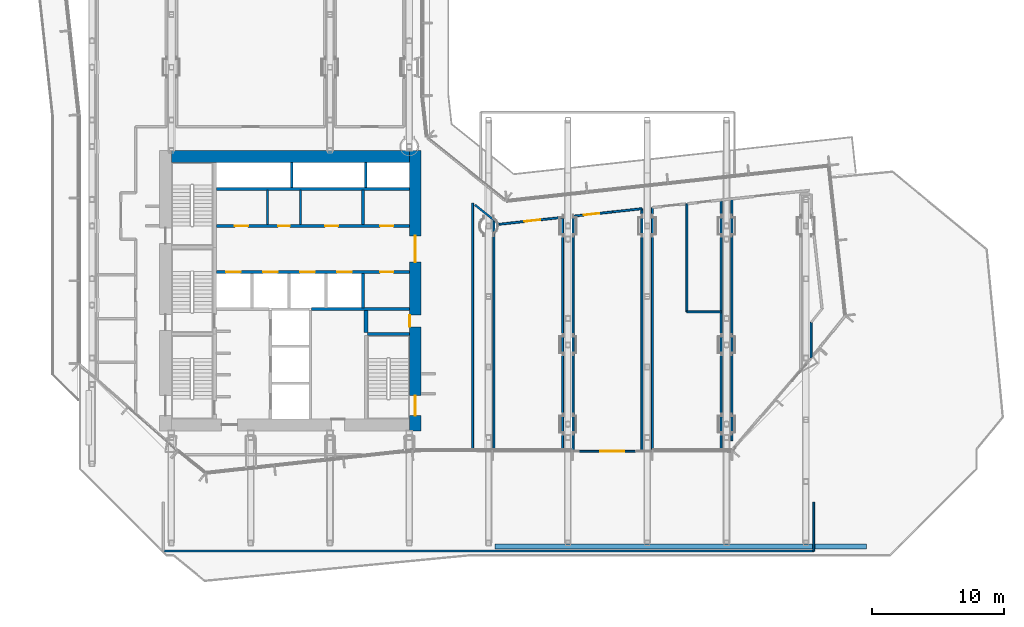
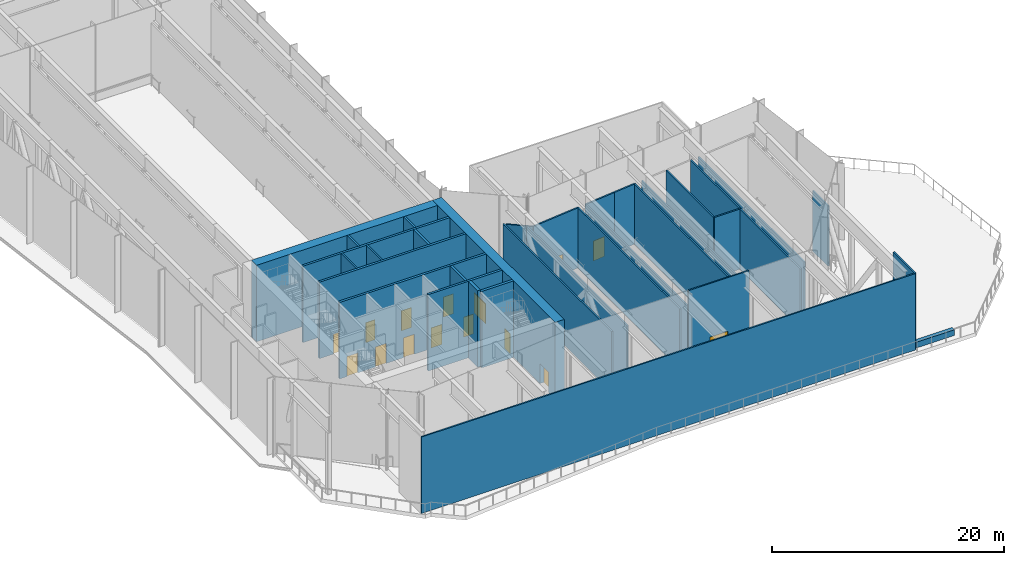
# One storey, part 15 of 25: 33 walls, 15 doors, 15 openings.
"""IFC4 building model written with IfcOpenShell, lengths in metres."""

from ifc_helpers import new_model, si_unit, direction, frame, frame_2d, origin, place, context, subcontext, project, spatial, rectangle, extrude, material, layer, layer_set, type_object, element, fill, save


model = new_model("IFC4")

# Units and contexts
model_context = context("Model", 3, precision=1e-05, world=origin(), true_north=direction((0.0, 1.0)))
body_context = subcontext(model_context, "Body", "Model", "MODEL_VIEW")
ifc_project = project(units=[si_unit("LENGTHUNIT", "METRE"), si_unit("AREAUNIT", "SQUARE_METRE"), si_unit("VOLUMEUNIT", "CUBIC_METRE"), si_unit("PLANEANGLEUNIT", "RADIAN"), si_unit("MASSUNIT", "GRAM", prefix="KILO")], contexts=[model_context])

# Site, building, storey
site_placement = place(None, origin())
site = spatial("IfcSite", under=ifc_project, at=site_placement, CompositionType="ELEMENT")
building_placement = place(site_placement, origin())
building = spatial("IfcBuilding", under=site, at=building_placement, Name="Welwitschia Terrace Campus", CompositionType="ELEMENT")
storey_placement = place(building_placement, frame((0.0, 0.0, 79.39990234375)))
storey = spatial("IfcBuildingStorey", under=building, at=storey_placement, Name="L18", CompositionType="ELEMENT", Elevation=79.39990234375)

# Wall, opening, door
ifc_material_1 = material(Name="Concrete C40/50", Category="concrete")
ifc_layer_1 = layer(ifc_material_1, 0.139892578125)
ifc_layer_set_1 = layer_set([ifc_layer_1], Name="Concrete C40/50")
wall_type_1 = type_object("IfcWallType", Name="Clad wall 140", PredefinedType="SOLIDWALL", material=ifc_layer_set_1)
wall_1_placement = place(storey_placement, frame((36.337158203125, 2.949951171875, 0.0), z_axis=(0.0, 0.0, 1.0), x_axis=(1.0, 0.0, 0.0)))
wall_1 = element("IfcWall", 1, at=wall_1_placement, inside=storey, type_object=wall_type_1, Name="Clad wall L18.terrace door 0", PredefinedType="SOLIDWALL", context=body_context, shape_type="SweptSolid", body=[
    extrude(rectangle(XDim=6.048828125, YDim=0.139892578125, at=frame_2d((3.0244140625, 0.0))), origin(), (0.0, 0.0, 1.0), 8.050048828125),
])
opening_1_placement = place(wall_1_placement, frame((2.12451171875, 0.0, 0.0)))
opening_1 = element("IfcOpeningElement", 2, at=opening_1_placement, cuts=wall_1, Name="Opening DE3", PredefinedType="OPENING", context=body_context, shape_type="SweptSolid", body=[
    extrude(rectangle(XDim=1.800048828125, YDim=2.39990234375, at=frame_2d((0.89990234375, 1.199951171875))), frame((0.0, 0.079833984375, 0.0), z_axis=(0.0, -1.0, 0.0), x_axis=(1.0, 0.0, 0.0)), (0.0, 0.0, 1.0), 0.159912109375),
])
ifc_material_2 = material(Name="Bronze anodised aluminium and glass", Category="aluminium")
door_type_1 = type_object("IfcDoorType", Name="Terrace door 1800x2400", OperationType="DOUBLE_DOOR_DOUBLE_SWING", PredefinedType="DOOR", material=ifc_material_2)
door_1_placement = place(opening_1_placement, origin())
door_1 = element("IfcDoor", 3, at=door_1_placement, inside=storey, type_object=door_type_1, Name="Door L18:T0", OperationType="DOUBLE_DOOR_DOUBLE_SWING", OverallHeight=2.39990234375, OverallWidth=1.800048828125, PredefinedType="DOOR", context=body_context, shape_type="SweptSolid", body=[
    extrude(rectangle(XDim=1.800048828125, YDim=2.39990234375, at=frame_2d((0.89990234375, 1.199951171875))), frame((0.0, 0.02490234375, 0.0), z_axis=(0.0, -1.0, 0.0), x_axis=(1.0, 0.0, 0.0)), (0.0, 0.0, 1.0), 0.050048828125),
])
fill(opening_1, door_1)

# Walls
wall_2_placement = place(storey_placement, frame((5.39990234375, -4.60009765625, 0.0), z_axis=(0.0, 0.0, 1.0), x_axis=(1.0, 0.0, 0.0)))
element("IfcWall", 4, at=wall_2_placement, inside=storey, type_object=wall_type_1, Name="Clad wall L18.tip fascia Sb1 end", PredefinedType="SOLIDWALL", context=body_context, shape_type="SweptSolid", body=[
    extrude(rectangle(XDim=49.2001953125, YDim=0.139892578125, at=frame_2d((24.60009765625, 0.0))), origin(), (0.0, 0.0, 1.0), 8.050048828125),
])
wall_3_placement = place(storey_placement, frame((54.60009765625, -0.89990234375, 0.0), z_axis=(0.0, 0.0, 1.0), x_axis=(0.0, -1.0, 0.0)))
element("IfcWall", 5, at=wall_3_placement, inside=storey, type_object=wall_type_1, Name="Clad wall L18.tip fascia Sb1 e", PredefinedType="SOLIDWALL", context=body_context, shape_type="SweptSolid", body=[
    extrude(rectangle(XDim=3.7001953125, YDim=0.139892578125, at=frame_2d((1.85009765625, 0.0))), origin(), (0.0, 0.0, 1.0), 8.050048828125),
])
ifc_material_3 = material(Name="Concrete C32/40", Category="concrete")
ifc_layer_2 = layer(ifc_material_3, 0.175048828125)
ifc_layer_set_2 = layer_set([ifc_layer_2], Name="Concrete C32/40")
wall_type_2 = type_object("IfcWallType", Name="Core partition 175 Concrete C32/40", PredefinedType="PARTITIONING", material=ifc_layer_set_2)
for number, where, z_axis, x_axis, name in (
    (6, (13.27490234375, 20.10009765625, 0.0), (0.0, 0.0, 1.0), (0.0, 1.0, 0.0), "Core partition"),
    (7, (15.77490234375, 20.10009765625, 0.0), (0.0, 0.0, 1.0), (0.0, 1.0, 0.0), "Core partition"),
):
    element("IfcWall", number, at=place(storey_placement, frame(where, z_axis=z_axis, x_axis=x_axis)), inside=storey, type_object=wall_type_2, Name=name, PredefinedType="PARTITIONING", context=body_context, shape_type="SweptSolid", body=[
        extrude(rectangle(XDim=2.599853515625, YDim=0.175048828125, at=frame_2d((1.2998046875, 0.0))), origin(), (0.0, 0.0, 1.0), 8.050048828125),
    ])
ifc_material_4 = material(Name="Concrete C32/40", Category="concrete")
ifc_layer_3 = layer(ifc_material_4, 0.22509765625)
ifc_layer_set_3 = layer_set([ifc_layer_3], Name="Concrete C32/40")
wall_type_3 = type_object("IfcWallType", Name="Core partition 225 Concrete C32/40", PredefinedType="PARTITIONING", material=ifc_layer_set_3)
wall_4_placement = place(storey_placement, frame((16.60009765625, 13.699951171875, 0.0), z_axis=(0.0, 0.0, 1.0), x_axis=(1.0, 0.0, 0.0)))
element("IfcWall", 8, at=wall_4_placement, inside=storey, type_object=wall_type_3, Name="Shaft wall", PredefinedType="PARTITIONING", context=body_context, shape_type="SweptSolid", body=[
    extrude(rectangle(XDim=7.39990234375, YDim=0.22509765625, at=frame_2d((3.699951171875, 0.0))), origin(), (0.0, 0.0, 1.0), 8.050048828125),
])

# Wall, openings, doors
wall_5_placement = place(storey_placement, frame((9.39990234375, 16.5, 0.0), z_axis=(0.0, 0.0, 1.0), x_axis=(1.0, 0.0, 0.0)))
wall_5 = element("IfcWall", 9, at=wall_5_placement, inside=storey, type_object=wall_type_3, Name="Shaft wall", PredefinedType="PARTITIONING", context=body_context, shape_type="SweptSolid", body=[
    extrude(rectangle(XDim=14.60009765625, YDim=0.22509765625, at=frame_2d((7.300048828125, 0.0))), origin(), (0.0, 0.0, 1.0), 8.050048828125),
])
opening_2_placement = place(wall_5_placement, frame((0.75, 0.0, 0.0)))
opening_2 = element("IfcOpeningElement", 10, at=opening_2_placement, cuts=wall_5, Name="Opening LD", PredefinedType="OPENING", context=body_context, shape_type="SweptSolid", body=[
    extrude(rectangle(XDim=1.10009765625, YDim=2.10009765625, at=frame_2d((0.550048828125, 1.050048828125))), frame((0.0, 0.12255859375, 0.0), z_axis=(0.0, -1.0, 0.0), x_axis=(1.0, 0.0, 0.0)), (0.0, 0.0, 1.0), 0.2451171875),
])
opening_3_placement = place(wall_5_placement, frame((3.550048828125, 0.0, 0.0)))
opening_3 = element("IfcOpeningElement", 11, at=opening_3_placement, cuts=wall_5, Name="Opening LD", PredefinedType="OPENING", context=body_context, shape_type="SweptSolid", body=[
    extrude(rectangle(XDim=1.10009765625, YDim=2.10009765625, at=frame_2d((0.550048828125, 1.050048828125))), frame((0.0, 0.12255859375, 0.0), z_axis=(0.0, -1.0, 0.0), x_axis=(1.0, 0.0, 0.0)), (0.0, 0.0, 1.0), 0.2451171875),
])
opening_4_placement = place(wall_5_placement, frame((6.35009765625, 0.0, 0.0)))
opening_4 = element("IfcOpeningElement", 12, at=opening_4_placement, cuts=wall_5, Name="Opening LD", PredefinedType="OPENING", context=body_context, shape_type="SweptSolid", body=[
    extrude(rectangle(XDim=1.10009765625, YDim=2.10009765625, at=frame_2d((0.550048828125, 1.050048828125))), frame((0.0, 0.12255859375, 0.0), z_axis=(0.0, -1.0, 0.0), x_axis=(1.0, 0.0, 0.0)), (0.0, 0.0, 1.0), 0.2451171875),
])
opening_5_placement = place(wall_5_placement, frame((9.14990234375, 0.0, 0.0)))
opening_5 = element("IfcOpeningElement", 13, at=opening_5_placement, cuts=wall_5, Name="Opening LD", PredefinedType="OPENING", context=body_context, shape_type="SweptSolid", body=[
    extrude(rectangle(XDim=1.10009765625, YDim=2.10009765625, at=frame_2d((0.550048828125, 1.050048828125))), frame((0.0, 0.12255859375, 0.0), z_axis=(0.0, -1.0, 0.0), x_axis=(1.0, 0.0, 0.0)), (0.0, 0.0, 1.0), 0.2451171875),
])
opening_6_placement = place(wall_5_placement, frame((12.39990234375, 0.0, 0.0)))
opening_6 = element("IfcOpeningElement", 14, at=opening_6_placement, cuts=wall_5, Name="Opening DR10", PredefinedType="OPENING", context=body_context, shape_type="SweptSolid", body=[
    extrude(rectangle(XDim=1.0, YDim=2.10009765625, at=frame_2d((0.5, 1.050048828125))), frame((0.0, 0.12255859375, 0.0), z_axis=(0.0, -1.0, 0.0), x_axis=(1.0, 0.0, 0.0)), (0.0, 0.0, 1.0), 0.2451171875),
])
ifc_material_5 = material(Name="Steel S275", Category="steel")
door_type_2 = type_object("IfcDoorType", Name="Core door DR10", OperationType="SINGLE_SWING_LEFT", PredefinedType="DOOR", material=ifc_material_5)
door_2_placement = place(opening_6_placement, origin())
door_2 = element("IfcDoor", 15, at=door_2_placement, inside=storey, type_object=door_type_2, Name="Door EL-D", OperationType="SINGLE_SWING_RIGHT", OverallHeight=2.10009765625, OverallWidth=1.0, PredefinedType="DOOR", context=body_context, shape_type="SweptSolid", body=[
    extrude(rectangle(XDim=1.0, YDim=2.10009765625, at=frame_2d((0.5, 1.050048828125))), frame((0.0, 0.02490234375, 0.0), z_axis=(0.0, -1.0, 0.0), x_axis=(1.0, 0.0, 0.0)), (0.0, 0.0, 1.0), 0.050048828125),
])
fill(opening_6, door_2)
ifc_material_6 = material(Name="Stainless steel 304", Category="steel")
door_type_3 = type_object("IfcDoorType", Name="Lift landing door", OperationType="DOUBLE_DOOR_SLIDING", PredefinedType="DOOR", material=ifc_material_6)
door_3_placement = place(opening_2_placement, origin())
door_3 = element("IfcDoor", 16, at=door_3_placement, inside=storey, type_object=door_type_3, Name="Landing door LR1", OperationType="DOUBLE_DOOR_SLIDING", OverallHeight=2.10009765625, OverallWidth=1.10009765625, PredefinedType="DOOR", context=body_context, shape_type="SweptSolid", body=[
    extrude(rectangle(XDim=1.10009765625, YDim=2.10009765625, at=frame_2d((0.550048828125, 1.050048828125))), frame((0.0, 0.02490234375, 0.0), z_axis=(0.0, -1.0, 0.0), x_axis=(1.0, 0.0, 0.0)), (0.0, 0.0, 1.0), 0.050048828125),
])
fill(opening_2, door_3)
door_4_placement = place(opening_3_placement, origin())
door_4 = element("IfcDoor", 17, at=door_4_placement, inside=storey, type_object=door_type_3, Name="Landing door LR2", OperationType="DOUBLE_DOOR_SLIDING", OverallHeight=2.10009765625, OverallWidth=1.10009765625, PredefinedType="DOOR", context=body_context, shape_type="SweptSolid", body=[
    extrude(rectangle(XDim=1.10009765625, YDim=2.10009765625, at=frame_2d((0.550048828125, 1.050048828125))), frame((0.0, 0.02490234375, 0.0), z_axis=(0.0, -1.0, 0.0), x_axis=(1.0, 0.0, 0.0)), (0.0, 0.0, 1.0), 0.050048828125),
])
fill(opening_3, door_4)
door_5_placement = place(opening_4_placement, origin())
door_5 = element("IfcDoor", 18, at=door_5_placement, inside=storey, type_object=door_type_3, Name="Landing door LR3", OperationType="DOUBLE_DOOR_SLIDING", OverallHeight=2.10009765625, OverallWidth=1.10009765625, PredefinedType="DOOR", context=body_context, shape_type="SweptSolid", body=[
    extrude(rectangle(XDim=1.10009765625, YDim=2.10009765625, at=frame_2d((0.550048828125, 1.050048828125))), frame((0.0, 0.02490234375, 0.0), z_axis=(0.0, -1.0, 0.0), x_axis=(1.0, 0.0, 0.0)), (0.0, 0.0, 1.0), 0.050048828125),
])
fill(opening_4, door_5)
door_6_placement = place(opening_5_placement, origin())
door_6 = element("IfcDoor", 19, at=door_6_placement, inside=storey, type_object=door_type_3, Name="Landing door LR4", OperationType="DOUBLE_DOOR_SLIDING", OverallHeight=2.10009765625, OverallWidth=1.10009765625, PredefinedType="DOOR", context=body_context, shape_type="SweptSolid", body=[
    extrude(rectangle(XDim=1.10009765625, YDim=2.10009765625, at=frame_2d((0.550048828125, 1.050048828125))), frame((0.0, 0.02490234375, 0.0), z_axis=(0.0, -1.0, 0.0), x_axis=(1.0, 0.0, 0.0)), (0.0, 0.0, 1.0), 0.050048828125),
])
fill(opening_5, door_6)

wall_6_placement = place(storey_placement, frame((24.0, 20.0, 0.0), z_axis=(0.0, 0.0, 1.0), x_axis=(-1.0, 0.0, 0.0)))
wall_6 = element("IfcWall", 20, at=wall_6_placement, inside=storey, type_object=wall_type_3, Name="Core partition", PredefinedType="PARTITIONING", context=body_context, shape_type="SweptSolid", body=[
    extrude(rectangle(XDim=14.60009765625, YDim=0.22509765625, at=frame_2d((7.300048828125, 0.0))), origin(), (0.0, 0.0, 1.0), 8.050048828125),
])
opening_7_placement = place(wall_6_placement, frame((12.199951171875, 0.0, 0.0)))
opening_7 = element("IfcOpeningElement", 21, at=opening_7_placement, cuts=wall_6, Name="Opening DR10", PredefinedType="OPENING", context=body_context, shape_type="SweptSolid", body=[
    extrude(rectangle(XDim=1.0, YDim=2.10009765625, at=frame_2d((0.5, 1.050048828125))), frame((0.0, 0.12255859375, 0.0), z_axis=(0.0, -1.0, 0.0), x_axis=(1.0, 0.0, 0.0)), (0.0, 0.0, 1.0), 0.2451171875),
])
opening_8_placement = place(wall_6_placement, frame((9.02490234375, 0.0, 0.0)))
opening_8 = element("IfcOpeningElement", 22, at=opening_8_placement, cuts=wall_6, Name="Opening DR09", PredefinedType="OPENING", context=body_context, shape_type="SweptSolid", body=[
    extrude(rectangle(XDim=0.89990234375, YDim=2.10009765625, at=frame_2d((0.449951171875, 1.050048828125))), frame((0.0, 0.12255859375, 0.0), z_axis=(0.0, -1.0, 0.0), x_axis=(1.0, 0.0, 0.0)), (0.0, 0.0, 1.0), 0.2451171875),
])
opening_9_placement = place(wall_6_placement, frame((5.375, 0.0, 0.0)))
opening_9 = element("IfcOpeningElement", 23, at=opening_9_placement, cuts=wall_6, Name="Opening DR10", PredefinedType="OPENING", context=body_context, shape_type="SweptSolid", body=[
    extrude(rectangle(XDim=1.0, YDim=2.10009765625, at=frame_2d((0.5, 1.050048828125))), frame((0.0, 0.12255859375, 0.0), z_axis=(0.0, -1.0, 0.0), x_axis=(1.0, 0.0, 0.0)), (0.0, 0.0, 1.0), 0.2451171875),
])
opening_10_placement = place(wall_6_placement, frame((1.199951171875, 0.0, 0.0)))
opening_10 = element("IfcOpeningElement", 24, at=opening_10_placement, cuts=wall_6, Name="Opening DR10", PredefinedType="OPENING", context=body_context, shape_type="SweptSolid", body=[
    extrude(rectangle(XDim=1.0, YDim=2.10009765625, at=frame_2d((0.5, 1.050048828125))), frame((0.0, 0.12255859375, 0.0), z_axis=(0.0, -1.0, 0.0), x_axis=(1.0, 0.0, 0.0)), (0.0, 0.0, 1.0), 0.2451171875),
])
ifc_material_7 = material(Name="Steel S275", Category="steel")
door_type_4 = type_object("IfcDoorType", Name="Core door DR09", OperationType="SINGLE_SWING_LEFT", PredefinedType="DOOR", material=ifc_material_7)
door_7_placement = place(opening_8_placement, origin())
door_7 = element("IfcDoor", 25, at=door_7_placement, inside=storey, type_object=door_type_4, Name="Door BAYH2-D", OperationType="SINGLE_SWING_RIGHT", OverallHeight=2.10009765625, OverallWidth=0.89990234375, PredefinedType="DOOR", context=body_context, shape_type="SweptSolid", body=[
    extrude(rectangle(XDim=0.89990234375, YDim=2.10009765625, at=frame_2d((0.449951171875, 1.050048828125))), frame((0.0, 0.02490234375, 0.0), z_axis=(0.0, -1.0, 0.0), x_axis=(1.0, 0.0, 0.0)), (0.0, 0.0, 1.0), 0.050048828125),
])
fill(opening_8, door_7)
door_8_placement = place(opening_7_placement, origin())
door_8 = element("IfcDoor", 26, at=door_8_placement, inside=storey, type_object=door_type_2, Name="Door BAYH1-D", OperationType="SINGLE_SWING_RIGHT", OverallHeight=2.10009765625, OverallWidth=1.0, PredefinedType="DOOR", context=body_context, shape_type="SweptSolid", body=[
    extrude(rectangle(XDim=1.0, YDim=2.10009765625, at=frame_2d((0.5, 1.050048828125))), frame((0.0, 0.02490234375, 0.0), z_axis=(0.0, -1.0, 0.0), x_axis=(1.0, 0.0, 0.0)), (0.0, 0.0, 1.0), 0.050048828125),
])
fill(opening_7, door_8)
door_9_placement = place(opening_9_placement, origin())
door_9 = element("IfcDoor", 27, at=door_9_placement, inside=storey, type_object=door_type_2, Name="Door BAYH3-D", OperationType="SINGLE_SWING_LEFT", OverallHeight=2.10009765625, OverallWidth=1.0, PredefinedType="DOOR", context=body_context, shape_type="SweptSolid", body=[
    extrude(rectangle(XDim=1.0, YDim=2.10009765625, at=frame_2d((0.5, 1.050048828125))), frame((0.0, 0.02490234375, 0.0), z_axis=(0.0, -1.0, 0.0), x_axis=(1.0, 0.0, 0.0)), (0.0, 0.0, 1.0), 0.050048828125),
])
fill(opening_9, door_9)
door_10_placement = place(opening_10_placement, origin())
door_10 = element("IfcDoor", 28, at=door_10_placement, inside=storey, type_object=door_type_2, Name="Door EH-D", OperationType="SINGLE_SWING_LEFT", OverallHeight=2.10009765625, OverallWidth=1.0, PredefinedType="DOOR", context=body_context, shape_type="SweptSolid", body=[
    extrude(rectangle(XDim=1.0, YDim=2.10009765625, at=frame_2d((0.5, 1.050048828125))), frame((0.0, 0.02490234375, 0.0), z_axis=(0.0, -1.0, 0.0), x_axis=(1.0, 0.0, 0.0)), (0.0, 0.0, 1.0), 0.050048828125),
])
fill(opening_10, door_10)

# Walls
wall_7_placement = place(storey_placement, frame((9.39990234375, 22.800048828125, 0.0), z_axis=(0.0, 0.0, 1.0), x_axis=(1.0, 0.0, 0.0)))
element("IfcWall", 29, at=wall_7_placement, inside=storey, type_object=wall_type_3, Name="Shaft wall", PredefinedType="PARTITIONING", context=body_context, shape_type="SweptSolid", body=[
    extrude(rectangle(XDim=14.60009765625, YDim=0.22509765625, at=frame_2d((7.300048828125, 0.0))), origin(), (0.0, 0.0, 1.0), 8.050048828125),
])
for number, where, z_axis, x_axis, name in (
    (30, (20.5, 13.800048828125, 0.0), (0.0, 0.0, 1.0), (0.0, 1.0, 0.0), "Shaft wall"),
    (31, (20.5, 20.10009765625, 0.0), (0.0, 0.0, 1.0), (0.0, 1.0, 0.0), "Core partition"),
):
    element("IfcWall", number, at=place(storey_placement, frame(where, z_axis=z_axis, x_axis=x_axis)), inside=storey, type_object=wall_type_3, Name=name, PredefinedType="PARTITIONING", context=body_context, shape_type="SweptSolid", body=[
        extrude(rectangle(XDim=2.599853515625, YDim=0.22509765625, at=frame_2d((1.2998046875, 0.0))), origin(), (0.0, 0.0, 1.0), 8.050048828125),
    ])
ifc_material_8 = material(Name="Concrete C32/40", Category="concrete")
ifc_layer_4 = layer(ifc_material_8, 0.27490234375)
ifc_layer_set_4 = layer_set([ifc_layer_4], Name="Concrete C32/40")
wall_type_4 = type_object("IfcWallType", Name="Core partition 275 Concrete C32/40", PredefinedType="PARTITIONING", material=ifc_layer_set_4)
wall_8_placement = place(storey_placement, frame((20.72509765625, 11.949951171875, 0.0), z_axis=(0.0, 0.0, 1.0), x_axis=(0.0, 1.0, 0.0)))
element("IfcWall", 32, at=wall_8_placement, inside=storey, type_object=wall_type_4, Name="Core partition", PredefinedType="PARTITIONING", context=body_context, shape_type="SweptSolid", body=[
    extrude(rectangle(XDim=1.650146484375, YDim=0.27490234375, at=frame_2d((0.8251953125, 0.0))), origin(), (0.0, 0.0, 1.0), 8.050048828125),
])
ifc_material_9 = material(Name="Concrete C50/60", Category="concrete")
ifc_layer_5 = layer(ifc_material_9, 0.199951171875)
ifc_layer_set_5 = layer_set([ifc_layer_5], Name="Concrete C50/60")
wall_type_5 = type_object("IfcWallType", Name="Core wall 200 Concrete C50/60", PredefinedType="SHEAR", material=ifc_layer_set_5)
for number, where, z_axis, x_axis, name in (
    (33, (15.10009765625, 22.89990234375, 0.0), (0.0, 0.0, 1.0), (0.0, 1.0, 0.0), "Core wall"),
    (34, (20.699951171875, 22.89990234375, 0.0), (0.0, 0.0, 1.0), (0.0, 1.0, 0.0), "Core wall"),
):
    element("IfcWall", number, at=place(storey_placement, frame(where, z_axis=z_axis, x_axis=x_axis)), inside=storey, type_object=wall_type_5, Name=name, PredefinedType="SHEAR", context=body_context, shape_type="SweptSolid", body=[
        extrude(rectangle(XDim=1.900146484375, YDim=0.199951171875, at=frame_2d((0.9501953125, 0.0))), origin(), (0.0, 0.0, 1.0), 8.050048828125),
    ])
ifc_material_10 = material(Name="Concrete C50/60", Category="concrete")
ifc_layer_6 = layer(ifc_material_10, 0.25)
ifc_layer_set_6 = layer_set([ifc_layer_6], Name="Concrete C50/60")
wall_type_6 = type_object("IfcWallType", Name="Core wall 250 Concrete C50/60", PredefinedType="SHEAR", material=ifc_layer_set_6)
wall_9_placement = place(storey_placement, frame((20.85009765625, 11.824951171875, 0.0), z_axis=(0.0, 0.0, 1.0), x_axis=(1.0, 0.0, 0.0)))
element("IfcWall", 35, at=wall_9_placement, inside=storey, type_object=wall_type_6, Name="Core wall", PredefinedType="SHEAR", context=body_context, shape_type="SweptSolid", body=[
    extrude(rectangle(XDim=3.14990234375, YDim=0.25, at=frame_2d((1.574951171875, 0.0))), origin(), (0.0, 0.0, 1.0), 8.050048828125),
])

# Wall, openings, doors
ifc_material_11 = material(Name="Concrete C70/85", Category="concrete")
ifc_layer_7 = layer(ifc_material_11, 0.89990234375)
ifc_layer_set_7 = layer_set([ifc_layer_7], Name="Concrete C70/85")
wall_type_7 = type_object("IfcWallType", Name="Core wall 900 Concrete C70/85", PredefinedType="SHEAR", material=ifc_layer_set_7)
wall_10_placement = place(storey_placement, frame((24.449951171875, 25.699951171875, 0.0), z_axis=(0.0, 0.0, 1.0), x_axis=(0.0, -1.0, 0.0)))
wall_10 = element("IfcWall", 36, at=wall_10_placement, inside=storey, type_object=wall_type_7, Name="Core outer wall", PredefinedType="SHEAR", context=body_context, shape_type="SweptSolid", body=[
    extrude(rectangle(XDim=21.199951171875, YDim=0.89990234375, at=frame_2d((10.60009765625, 0.0))), origin(), (0.0, 0.0, 1.0), 8.050048828125),
])
opening_11_placement = place(wall_10_placement, frame((18.550048828125, 0.0, 0.0)))
opening_11 = element("IfcOpeningElement", 37, at=opening_11_placement, cuts=wall_10, Name="Opening DS15", PredefinedType="OPENING", context=body_context, shape_type="SweptSolid", body=[
    extrude(rectangle(XDim=1.5, YDim=2.10009765625, at=frame_2d((0.75, 1.050048828125))), frame((0.0, 0.4599609375, 0.0), z_axis=(0.0, -1.0, 0.0), x_axis=(1.0, 0.0, 0.0)), (0.0, 0.0, 1.0), 0.919921875),
])
opening_12_placement = place(wall_10_placement, frame((12.449951171875, 0.0, 0.0)))
opening_12 = element("IfcOpeningElement", 38, at=opening_12_placement, cuts=wall_10, Name="Opening DR09", PredefinedType="OPENING", context=body_context, shape_type="SweptSolid", body=[
    extrude(rectangle(XDim=0.89990234375, YDim=2.10009765625, at=frame_2d((0.449951171875, 1.050048828125))), frame((0.0, 0.4599609375, 0.0), z_axis=(0.0, -1.0, 0.0), x_axis=(1.0, 0.0, 0.0)), (0.0, 0.0, 1.0), 0.919921875),
])
opening_13_placement = place(wall_10_placement, frame((6.449951171875, 0.0, 0.0)))
opening_13 = element("IfcOpeningElement", 39, at=opening_13_placement, cuts=wall_10, Name="Opening DL20", PredefinedType="OPENING", context=body_context, shape_type="SweptSolid", body=[
    extrude(rectangle(XDim=2.0, YDim=2.10009765625, at=frame_2d((1.0, 1.050048828125))), frame((0.0, 0.4599609375, 0.0), z_axis=(0.0, -1.0, 0.0), x_axis=(1.0, 0.0, 0.0)), (0.0, 0.0, 1.0), 0.919921875),
])
ifc_material_12 = material(Name="Steel S275", Category="steel")
door_type_5 = type_object("IfcDoorType", Name="Core door DL20", OperationType="DOUBLE_DOOR_SINGLE_SWING", PredefinedType="DOOR", material=ifc_material_12)
door_11_placement = place(opening_13_placement, origin())
door_11 = element("IfcDoor", 40, at=door_11_placement, inside=storey, type_object=door_type_5, Name="Door LOBBY-out", OperationType="DOUBLE_DOOR_SINGLE_SWING", OverallHeight=2.10009765625, OverallWidth=2.0, PredefinedType="DOOR", context=body_context, shape_type="SweptSolid", body=[
    extrude(rectangle(XDim=2.0, YDim=2.10009765625, at=frame_2d((1.0, 1.050048828125))), frame((0.0, 0.02490234375, 0.0), z_axis=(0.0, -1.0, 0.0), x_axis=(1.0, 0.0, 0.0)), (0.0, 0.0, 1.0), 0.050048828125),
])
fill(opening_13, door_11)
door_12_placement = place(opening_12_placement, origin())
door_12 = element("IfcDoor", 41, at=door_12_placement, inside=storey, type_object=door_type_4, Name="Door F1B-out", OperationType="SINGLE_SWING_RIGHT", OverallHeight=2.10009765625, OverallWidth=0.89990234375, PredefinedType="DOOR", context=body_context, shape_type="SweptSolid", body=[
    extrude(rectangle(XDim=0.89990234375, YDim=2.10009765625, at=frame_2d((0.449951171875, 1.050048828125))), frame((0.0, -0.39013671875, 0.0), z_axis=(0.0, -1.0, 0.0), x_axis=(1.0, 0.0, 0.0)), (0.0, 0.0, 1.0), 0.050048828125),
])
fill(opening_12, door_12)
ifc_material_13 = material(Name="Steel S275", Category="steel")
door_type_6 = type_object("IfcDoorType", Name="Core door DS15", OperationType="DOUBLE_DOOR_SINGLE_SWING", PredefinedType="DOOR", material=ifc_material_13)
door_13_placement = place(opening_11_placement, origin())
door_13 = element("IfcDoor", 42, at=door_13_placement, inside=storey, type_object=door_type_6, Name="Door S2-out", OperationType="DOUBLE_DOOR_SINGLE_SWING", OverallHeight=2.10009765625, OverallWidth=1.5, PredefinedType="DOOR", context=body_context, shape_type="SweptSolid", body=[
    extrude(rectangle(XDim=1.5, YDim=2.10009765625, at=frame_2d((0.75, 1.050048828125))), frame((0.0, 0.02490234375, 0.0), z_axis=(0.0, -1.0, 0.0), x_axis=(1.0, 0.0, 0.0)), (0.0, 0.0, 1.0), 0.050048828125),
])
fill(opening_11, door_13)

# Walls
wall_11_placement = place(storey_placement, frame((6.0, 25.25, 0.0), z_axis=(0.0, 0.0, 1.0), x_axis=(1.0, 0.0, 0.0)))
element("IfcWall", 43, at=wall_11_placement, inside=storey, type_object=wall_type_7, Name="Core outer wall", PredefinedType="SHEAR", context=body_context, shape_type="SweptSolid", body=[
    extrude(rectangle(XDim=18.0, YDim=0.89990234375, at=frame_2d((9.0, 0.0))), origin(), (0.0, 0.0, 1.0), 8.050048828125),
])
ifc_material_14 = material(Name="Gypsum board on steel studs", Category="steel")
ifc_layer_8 = layer(ifc_material_14, 0.14990234375)
ifc_layer_set_8 = layer_set([ifc_layer_8], Name="Gypsum board on steel studs")
wall_type_8 = type_object("IfcWallType", Name="Corridor partition 150 EI 30", PredefinedType="PARTITIONING", material=ifc_layer_set_8)
wall_12_placement = place(storey_placement, frame((28.800048828125, 3.0, 0.0), z_axis=(0.0, 0.0, 1.0), x_axis=(0.0, 1.0, 0.0)))
element("IfcWall", 44, at=wall_12_placement, inside=storey, type_object=wall_type_8, Name="Partition", PredefinedType="PARTITIONING", context=body_context, shape_type="SweptSolid", body=[
    extrude(rectangle(XDim=18.719970703125, YDim=0.14990234375, at=frame_2d((9.35986328125, 0.0))), origin(), (0.0, 0.0, 1.0), 6.330078125),
])
wall_13_placement = place(storey_placement, frame((28.9599609375, 21.592041015625, 0.0), z_axis=(0.0, 0.0, 1.0), x_axis=(0.780899133035, -0.624657141179, 0.0)))
element("IfcWall", 45, at=wall_13_placement, inside=storey, type_object=wall_type_8, Name="Partition", PredefinedType="PARTITIONING", context=body_context, shape_type="SweptSolid", body=[
    extrude(rectangle(XDim=2.3564453125, YDim=0.14990234375, at=frame_2d((1.17822265625, 0.0))), origin(), (0.0, 0.0, 1.0), 6.330078125),
])
wall_14_placement = place(storey_placement, frame((30.39990234375, 3.034912109375, 0.0), z_axis=(0.0, 0.0, 1.0), x_axis=(0.0, 1.0, 0.0)))
element("IfcWall", 46, at=wall_14_placement, inside=storey, type_object=wall_type_8, Name="Partition", PredefinedType="PARTITIONING", context=body_context, shape_type="SweptSolid", body=[
    extrude(rectangle(XDim=17.405029296875, YDim=0.14990234375, at=frame_2d((8.70263671875, 0.0))), origin(), (0.0, 0.0, 1.0), 6.330078125),
])
wall_15_placement = place(storey_placement, frame((35.60009765625, 3.0, 0.0), z_axis=(0.0, 0.0, 1.0), x_axis=(0.0, 1.0, 0.0)))
element("IfcWall", 47, at=wall_15_placement, inside=storey, type_object=wall_type_8, Name="Partition", PredefinedType="PARTITIONING", context=body_context, shape_type="SweptSolid", body=[
    extrude(rectangle(XDim=17.639892578125, YDim=0.14990234375, at=frame_2d((8.81982421875, 0.0))), origin(), (0.0, 0.0, 1.0), 6.330078125),
])

# Wall, opening, door
wall_16_placement = place(storey_placement, frame((35.60302734375, 20.644287109375, 0.0), z_axis=(0.0, 0.0, 1.0), x_axis=(-0.99409752043, -0.108490183315, 0.0)))
wall_16 = element("IfcWall", 48, at=wall_16_placement, inside=storey, type_object=wall_type_8, Name="Partition", PredefinedType="PARTITIONING", context=body_context, shape_type="SweptSolid", body=[
    extrude(rectangle(XDim=4.83154296875, YDim=0.14990234375, at=frame_2d((2.415771484375, 0.0))), origin(), (0.0, 0.0, 1.0), 6.330078125),
])
opening_14_placement = place(wall_16_placement, frame((1.699951171875, 0.0, 0.0)))
opening_14 = element("IfcOpeningElement", 49, at=opening_14_placement, cuts=wall_16, Name="Opening DI12", PredefinedType="OPENING", context=body_context, shape_type="SweptSolid", body=[
    extrude(rectangle(XDim=1.199951171875, YDim=2.10009765625, at=frame_2d((0.60009765625, 1.050048828125))), frame((0.0, 0.0849609375, 0.0), z_axis=(0.0, -1.0, 0.0), x_axis=(1.0, 0.0, 0.0)), (0.0, 0.0, 1.0), 0.169921875),
])
ifc_material_15 = material(Name="Timber veneered door", Category="wood")
door_type_7 = type_object("IfcDoorType", Name="Interior door DI12", OperationType="NOTDEFINED", PredefinedType="DOOR", material=ifc_material_15)
door_14_placement = place(opening_14_placement, origin())
door_14 = element("IfcDoor", 50, at=door_14_placement, inside=storey, type_object=door_type_7, Name="Door L18 415", OperationType="SINGLE_SWING_RIGHT", OverallHeight=2.10009765625, OverallWidth=1.199951171875, PredefinedType="DOOR", context=body_context, shape_type="SweptSolid", body=[
    extrude(rectangle(XDim=1.199951171875, YDim=2.10009765625, at=frame_2d((0.60009765625, 1.050048828125))), frame((0.0, 0.02490234375, 0.0), z_axis=(0.0, -1.0, 0.0), x_axis=(1.0, 0.0, 0.0)), (0.0, 0.0, 1.0), 0.050048828125),
])
fill(opening_14, door_14)

# Wall
wall_17_placement = place(storey_placement, frame((36.39990234375, 3.034912109375, 0.0), z_axis=(0.0, 0.0, 1.0), x_axis=(0.0, 1.0, 0.0)))
element("IfcWall", 51, at=wall_17_placement, inside=storey, type_object=wall_type_8, Name="Partition", PredefinedType="PARTITIONING", context=body_context, shape_type="SweptSolid", body=[
    extrude(rectangle(XDim=17.695068359375, YDim=0.14990234375, at=frame_2d((8.84765625, 0.0))), origin(), (0.0, 0.0, 1.0), 6.330078125),
])

# Wall, opening, door
wall_18_placement = place(storey_placement, frame((39.405517578125, 21.059326171875, 0.0), z_axis=(0.0, 0.0, 1.0), x_axis=(-0.99404999068, -0.108924818246, 0.0)))
wall_18 = element("IfcWall", 52, at=wall_18_placement, inside=storey, type_object=wall_type_8, Name="Partition", PredefinedType="PARTITIONING", context=body_context, shape_type="SweptSolid", body=[
    extrude(rectangle(XDim=3.023681640625, YDim=0.14990234375, at=frame_2d((1.51171875, 0.0))), origin(), (0.0, 0.0, 1.0), 6.330078125),
])
opening_15_placement = place(wall_18_placement, frame((1.0234375, 0.0, 0.0)))
opening_15 = element("IfcOpeningElement", 53, at=opening_15_placement, cuts=wall_18, Name="Opening DI12", PredefinedType="OPENING", context=body_context, shape_type="SweptSolid", body=[
    extrude(rectangle(XDim=1.199951171875, YDim=2.10009765625, at=frame_2d((0.60009765625, 1.050048828125))), frame((0.0, 0.0849609375, 0.0), z_axis=(0.0, -1.0, 0.0), x_axis=(1.0, 0.0, 0.0)), (0.0, 0.0, 1.0), 0.169921875),
])
door_15_placement = place(opening_15_placement, origin())
door_15 = element("IfcDoor", 54, at=door_15_placement, inside=storey, type_object=door_type_7, Name="Door L18 416", OperationType="SINGLE_SWING_LEFT", OverallHeight=2.10009765625, OverallWidth=1.199951171875, PredefinedType="DOOR", context=body_context, shape_type="SweptSolid", body=[
    extrude(rectangle(XDim=1.199951171875, YDim=2.10009765625, at=frame_2d((0.60009765625, 1.050048828125))), frame((0.0, 0.02490234375, 0.0), z_axis=(0.0, -1.0, 0.0), x_axis=(1.0, 0.0, 0.0)), (0.0, 0.0, 1.0), 0.050048828125),
])
fill(opening_15, door_15)

# Walls
wall_19_placement = place(storey_placement, frame((39.405517578125, 21.059326171875, 0.0), z_axis=(0.0, 0.0, 1.0), x_axis=(0.994037841619, 0.109035633756, 0.0)))
element("IfcWall", 55, at=wall_19_placement, inside=storey, type_object=wall_type_8, Name="Partition", PredefinedType="PARTITIONING", context=body_context, shape_type="SweptSolid", body=[
    extrude(rectangle(XDim=2.207763671875, YDim=0.14990234375, at=frame_2d((1.10400390625, 0.0))), origin(), (0.0, 0.0, 1.0), 6.330078125),
])
wall_20_placement = place(storey_placement, frame((41.60009765625, 3.0, 0.0), z_axis=(0.0, 0.0, 1.0), x_axis=(0.0, 1.0, 0.0)))
element("IfcWall", 56, at=wall_20_placement, inside=storey, type_object=wall_type_8, Name="Partition", PredefinedType="PARTITIONING", context=body_context, shape_type="SweptSolid", body=[
    extrude(rectangle(XDim=18.299072265625, YDim=0.14990234375, at=frame_2d((9.1494140625, 0.0))), origin(), (0.0, 0.0, 1.0), 6.330078125),
])
wall_21_placement = place(storey_placement, frame((42.39990234375, 3.034912109375, 0.0), z_axis=(0.0, 0.0, 1.0), x_axis=(0.0, 1.0, 0.0)))
element("IfcWall", 57, at=wall_21_placement, inside=storey, type_object=wall_type_8, Name="Partition", PredefinedType="PARTITIONING", context=body_context, shape_type="SweptSolid", body=[
    extrude(rectangle(XDim=18.3515625, YDim=0.14990234375, at=frame_2d((9.17578125, 0.0))), origin(), (0.0, 0.0, 1.0), 6.330078125),
])
wall_22_placement = place(storey_placement, frame((45.0, 13.489990234375, 0.0), z_axis=(0.0, 0.0, 1.0), x_axis=(0.0, 1.0, 0.0)))
element("IfcWall", 58, at=wall_22_placement, inside=storey, type_object=wall_type_8, Name="Partition", PredefinedType="PARTITIONING", context=body_context, shape_type="SweptSolid", body=[
    extrude(rectangle(XDim=8.179931640625, YDim=0.14990234375, at=frame_2d((4.08984375, 0.0))), origin(), (0.0, 0.0, 1.0), 6.330078125),
])
wall_23_placement = place(storey_placement, frame((45.0, 13.489990234375, 0.0), z_axis=(0.0, 0.0, 1.0), x_axis=(1.0, 0.0, 0.0)))
element("IfcWall", 59, at=wall_23_placement, inside=storey, type_object=wall_type_8, Name="Partition", PredefinedType="PARTITIONING", context=body_context, shape_type="SweptSolid", body=[
    extrude(rectangle(XDim=2.60009765625, YDim=0.14990234375, at=frame_2d((1.300048828125, 0.0))), origin(), (0.0, 0.0, 1.0), 6.330078125),
])
wall_24_placement = place(storey_placement, frame((47.60009765625, 3.0, 0.0), z_axis=(0.0, 0.0, 1.0), x_axis=(0.0, 1.0, 0.0)))
element("IfcWall", 60, at=wall_24_placement, inside=storey, type_object=wall_type_8, Name="Partition", PredefinedType="PARTITIONING", context=body_context, shape_type="SweptSolid", body=[
    extrude(rectangle(XDim=18.9541015625, YDim=0.14990234375, at=frame_2d((9.47705078125, 0.0))), origin(), (0.0, 0.0, 1.0), 6.330078125),
])
wall_25_placement = place(storey_placement, frame((48.39990234375, 3.75, 0.0), z_axis=(0.0, 0.0, 1.0), x_axis=(0.0, 1.0, 0.0)))
element("IfcWall", 61, at=wall_25_placement, inside=storey, type_object=wall_type_8, Name="Partition", PredefinedType="PARTITIONING", context=body_context, shape_type="SweptSolid", body=[
    extrude(rectangle(XDim=18.2900390625, YDim=0.14990234375, at=frame_2d((9.14501953125, 0.0))), origin(), (0.0, 0.0, 1.0), 6.330078125),
])
wall_26_placement = place(storey_placement, frame((54.39990234375, 10.02001953125, 0.0), z_axis=(0.0, 0.0, 1.0), x_axis=(0.0, 1.0, 0.0)))
element("IfcWall", 62, at=wall_26_placement, inside=storey, type_object=wall_type_8, Name="Partition", PredefinedType="PARTITIONING", context=body_context, shape_type="SweptSolid", body=[
    extrude(rectangle(XDim=2.669921875, YDim=0.14990234375, at=frame_2d((1.3349609375, 0.0))), origin(), (0.0, 0.0, 1.0), 6.330078125),
])
ifc_material_16 = material(Name="Concrete C40/50", Category="concrete")
ifc_layer_9 = layer(ifc_material_16, 0.39990234375)
ifc_layer_set_9 = layer_set([ifc_layer_9], Name="Concrete C40/50")
wall_type_9 = type_object("IfcWallType", Name="Planter wall 400", PredefinedType="SOLIDWALL", material=ifc_layer_set_9)
wall_27_placement = place(storey_placement, frame((58.57275390625, -4.25, 0.0), z_axis=(0.0, 0.0, 1.0), x_axis=(-1.0, 0.0, 0.0)))
element("IfcWall", 63, at=wall_27_placement, inside=storey, type_object=wall_type_9, Name="PLANTER", PredefinedType="SOLIDWALL", context=body_context, shape_type="SweptSolid", body=[
    extrude(rectangle(XDim=28.102294921875, YDim=0.39990234375, at=frame_2d((14.05126953125, 0.0))), origin(), (0.0, 0.0, 1.0), 0.60009765625),
])

save(model, "model.ifc")
